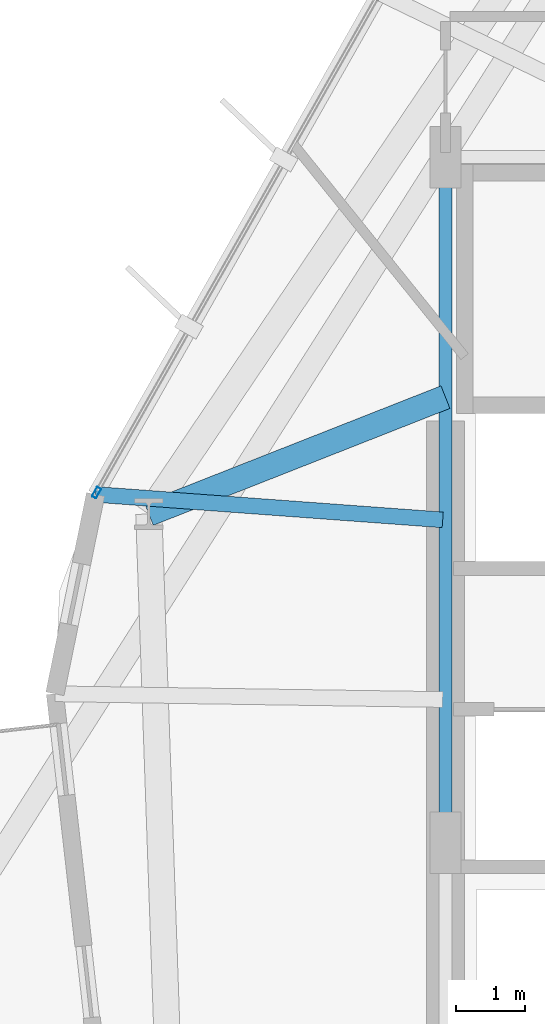
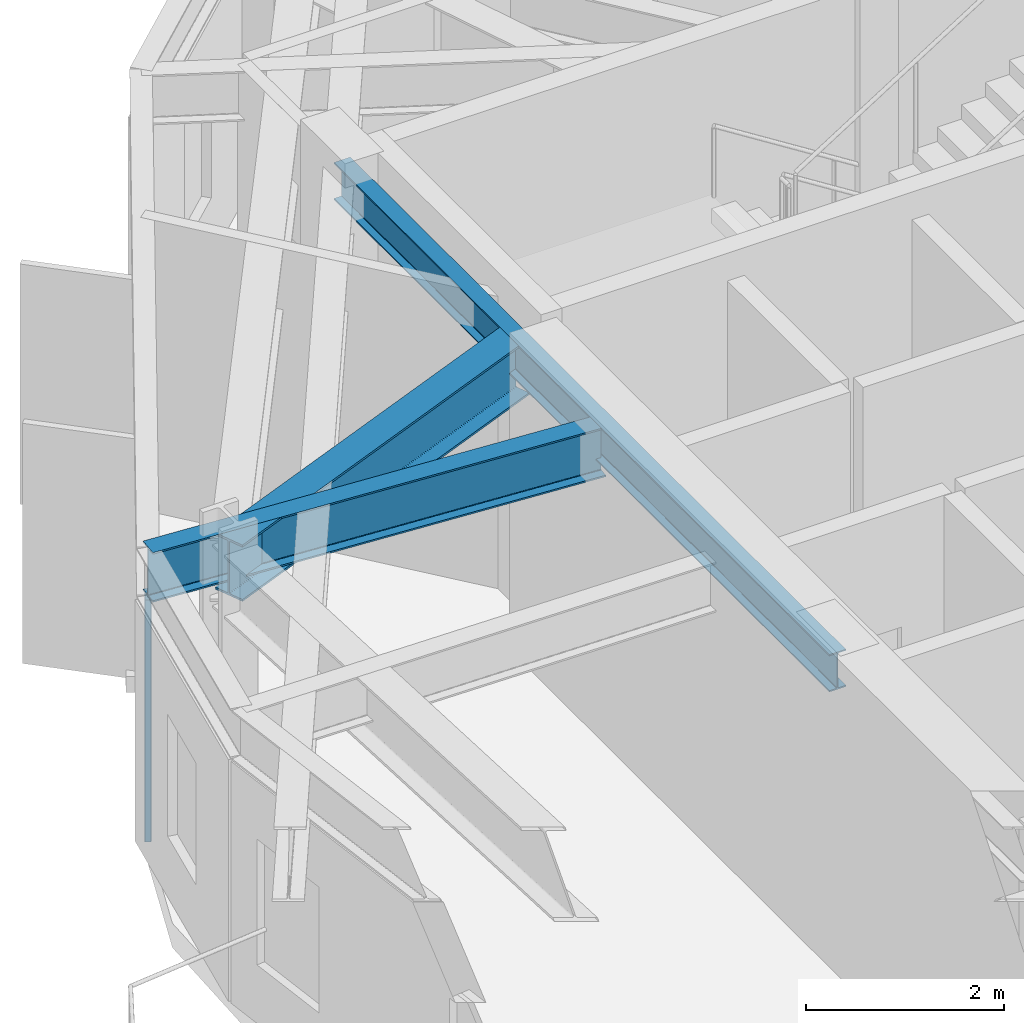
# One storey, part 8 of 23: 3 beams, 1 member, 1 element without a shape of its own.
"""IFC4 building model written with IfcOpenShell, lengths in metres."""

from ifc_helpers import new_model, si_unit, direction, frame, origin, origin_2d, place, context, subcontext, project, spatial, hollow_rectangle, i_section, extrude, material, layer, layer_set, material_profile, profile_set, type_object, element, aggregate, save


model = new_model("IFC4")

# Units and contexts
model_context = context("Model", 3, precision=1e-05, world=origin(), true_north=direction((0.0, 1.0)))
body_context = subcontext(model_context, "Body", "Model", "MODEL_VIEW")
ifc_project = project(units=[si_unit("LENGTHUNIT", "METRE"), si_unit("AREAUNIT", "SQUARE_METRE"), si_unit("VOLUMEUNIT", "CUBIC_METRE"), si_unit("PLANEANGLEUNIT", "RADIAN"), si_unit("MASSUNIT", "GRAM", prefix="KILO")], contexts=[model_context])

# Site, building, storey
site_placement = place(None, origin())
site = spatial("IfcSite", under=ifc_project, at=site_placement, CompositionType="ELEMENT")
building_placement = place(site_placement, origin())
building = spatial("IfcBuilding", under=site, at=building_placement, Name="Soratama Intermodal Tower", CompositionType="ELEMENT")
storey_placement = place(building_placement, frame((0.0, 0.0, 122.5)))
storey = spatial("IfcBuildingStorey", under=building, at=storey_placement, Name="L29", CompositionType="ELEMENT", Elevation=122.5)

# Beams
ifc_material_1 = material(Name="Structural steel ASTM A992 Grade 50", Category="steel")
ifc_material_profile_1 = material_profile(ifc_material_1, i_section(OverallWidth=0.19091796875, OverallDepth=0.4599609375, WebThickness=0.010009765625, FlangeThickness=0.01611328125, FilletRadius=0.010986328125, at=origin_2d()), Name="W18X55")
ifc_profile_set_1 = profile_set([ifc_material_profile_1], Name="Structural steel ASTM A992 Grade 50")
beam_type_1 = type_object("IfcBeamType", Name="BM-FLR-W18X55", PredefinedType="BEAM", material=ifc_profile_set_1)
beam_1_placement = place(storey_placement, frame((32.60009765625, 35.0, 3.3701171875), z_axis=(0.0, -1.0, 0.0), x_axis=(1.0, 0.0, 0.0)))
element("IfcBeam", 1, at=beam_1_placement, inside=storey, type_object=beam_type_1, Name="BM-L29-CRING-08", PredefinedType="BEAM", context=body_context, shape_type="SweptSolid", body=[
    extrude(i_section(OverallWidth=0.19091796875, OverallDepth=0.4599609375, WebThickness=0.010009765625, FlangeThickness=0.01611328125, FilletRadius=0.010986328125, at=origin_2d()), origin(), (0.0, 0.0, 1.0), 10.0),
])
ifc_material_2 = material(Name="Structural steel ASTM A992 Grade 50", Category="steel")
ifc_material_profile_2 = material_profile(ifc_material_2, i_section(OverallWidth=0.35498046875, OverallDepth=0.695068359375, WebThickness=0.015380859375, FlangeThickness=0.02490234375, FilletRadius=0.01611328125, at=origin_2d()), Name="W27X146")
ifc_profile_set_2 = profile_set([ifc_material_profile_2], Name="Structural steel ASTM A992 Grade 50")
beam_type_2 = type_object("IfcBeamType", Name="BM-RING-W27X146", PredefinedType="BEAM", material=ifc_profile_set_2)
beam_2_placement = place(storey_placement, frame((32.60009765625, 31.5, 3.25244140625), z_axis=(-0.930419244357, -0.366496970971, 0.0), x_axis=(0.366496970971, -0.930419244357, 0.0)))
element("IfcBeam", 2, at=beam_2_placement, inside=storey, type_object=beam_type_2, Name="BM-L29-RAD-05", PredefinedType="BEAM", context=body_context, shape_type="SweptSolid", body=[
    extrude(i_section(OverallWidth=0.35498046875, OverallDepth=0.695068359375, WebThickness=0.015380859375, FlangeThickness=0.02490234375, FilletRadius=0.01611328125, at=origin_2d()), origin(), (0.0, 0.0, 1.0), 4.649658203125),
])
ifc_material_3 = material(Name="Structural steel ASTM A992 Grade 50", Category="steel")
ifc_material_profile_3 = material_profile(ifc_material_3, i_section(OverallWidth=0.22900390625, OverallDepth=0.612060546875, WebThickness=0.011962890625, FlangeThickness=0.01953125, FilletRadius=0.012939453125, at=origin_2d()), Name="W24X84")
ifc_profile_set_3 = profile_set([ifc_material_profile_3], Name="Structural steel ASTM A992 Grade 50")
beam_type_3 = type_object("IfcBeamType", Name="BM-TIE-W24X84", PredefinedType="BEAM", material=ifc_profile_set_3)
beam_3_placement = place(storey_placement, frame((32.56005859375, 29.7099609375, 3.2939453125), z_axis=(-0.997324666725, 0.073099310127, 0.0), x_axis=(-0.073099310127, -0.997324666725, 0.0)))
element("IfcBeam", 3, at=beam_3_placement, inside=storey, type_object=beam_type_3, Name="BM-L29-TIE1-04", PredefinedType="BEAM", context=body_context, shape_type="SweptSolid", body=[
    extrude(i_section(OverallWidth=0.22900390625, OverallDepth=0.612060546875, WebThickness=0.011962890625, FlangeThickness=0.01953125, FilletRadius=0.012939453125, at=origin_2d()), origin(), (0.0, 0.0, 1.0), 5.07666015625),
])

# Curtain wall, member
ifc_material_4 = material(Name="Double-glazed aluminium curtain wall", Category="aluminium")
ifc_layer = layer(ifc_material_4, 0.159912109375)
ifc_layer_set = layer_set([ifc_layer], Name="Double-glazed aluminium curtain wall")
curtain_wall_type = type_object("IfcCurtainWallType", Name="CW-SYS-3", PredefinedType="NOTDEFINED", material=ifc_layer_set)
curtain_wall_placement = place(storey_placement, origin())
curtain_wall = element("IfcCurtainWall", 4, at=curtain_wall_placement, inside=storey, type_object=curtain_wall_type, Name="L29 Faceted Curtain Wall F04", PredefinedType="NOTDEFINED")
ifc_material_5 = material(Name="Anodised aluminium AA 6063-T6", Category="aluminium")
ifc_material_profile_4 = material_profile(ifc_material_5, hollow_rectangle(XDim=0.070068359375, YDim=0.159912109375, WallThickness=0.0048828125, InnerFilletRadius=0.0048828125, OuterFilletRadius=0.010009765625, at=origin_2d()), Name="CWM160X70X5")
ifc_profile_set_4 = profile_set([ifc_material_profile_4], Name="Anodised aluminium AA 6063-T6")
member_type = type_object("IfcMemberType", Name="MT-CWM-3", PredefinedType="MULLION", material=ifc_profile_set_4)
member_placement = place(storey_placement, frame((27.51171875, 30.107421875, 0.0), z_axis=(0.0, 0.0, 1.0), x_axis=(0.870183228771, -0.492728270314, 0.0)))
member = element("IfcMember", 5, at=member_placement, type_object=member_type, Name="CW-3 mullion 2", PredefinedType="MULLION", context=body_context, shape_type="SweptSolid", body=[
    extrude(hollow_rectangle(XDim=0.070068359375, YDim=0.159912109375, WallThickness=0.0048828125, InnerFilletRadius=0.0048828125, OuterFilletRadius=0.010009765625, at=origin_2d()), origin(), (0.0, 0.0, 1.0), 2.97900390625),
])
aggregate(curtain_wall, [member])

save(model, "model.ifc")
